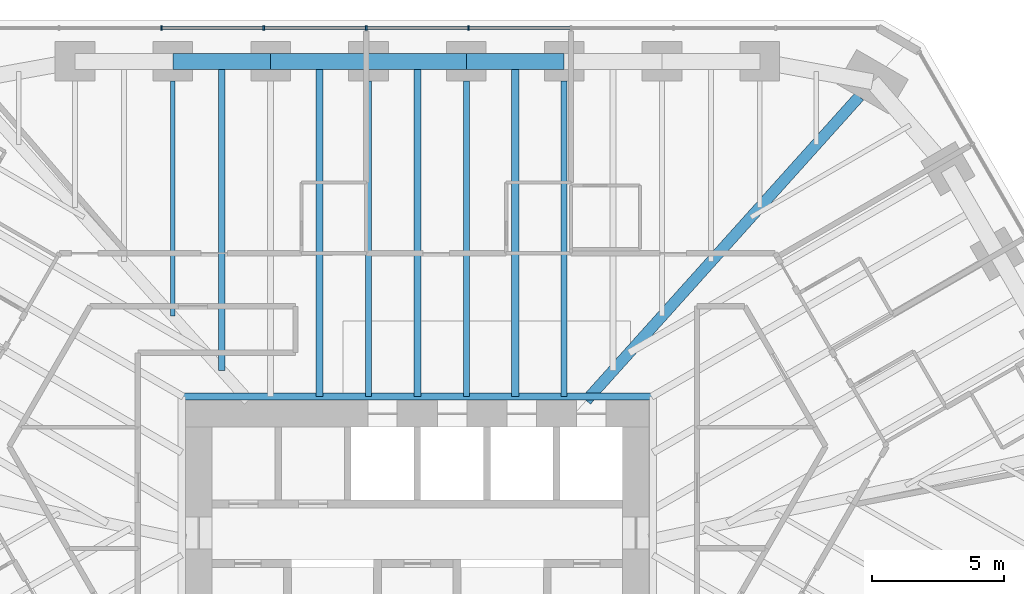
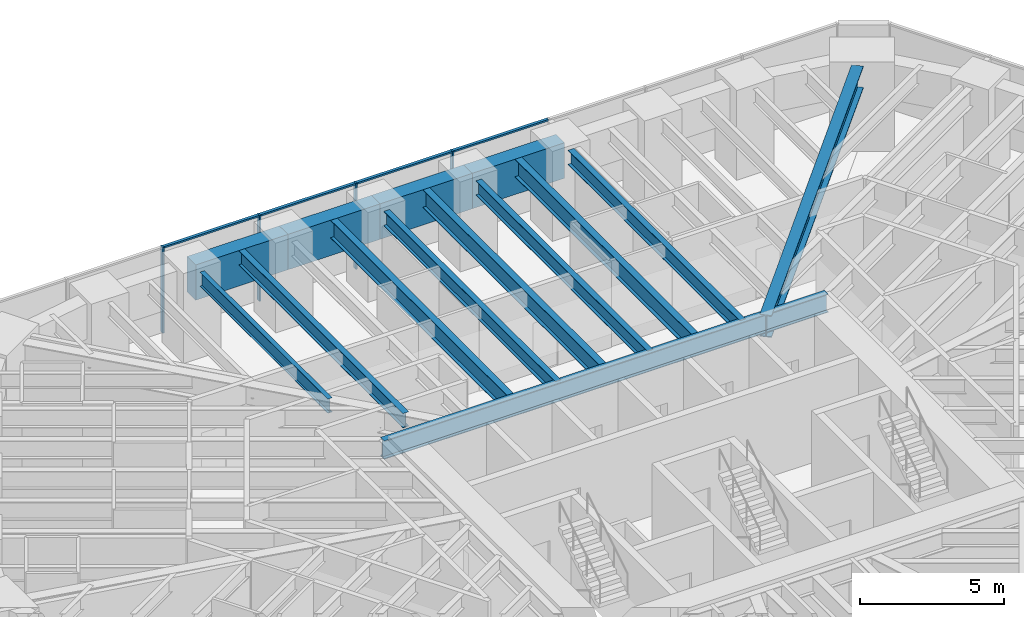
# One storey, part 8 of 17: 14 beams, 8 members, 1 element without a shape of its own.
"""IFC4 building model written with IfcOpenShell, lengths in metres."""

from ifc_helpers import new_model, si_unit, direction, frame, origin, origin_2d, place, context, subcontext, project, spatial, rectangle, i_section, extrude, material, material_profile, profile_set, type_object, element, aggregate, save


model = new_model("IFC4")

# Units and contexts
model_context = context("Model", 3, precision=1e-05, world=origin(), true_north=direction((0.0, 1.0)))
body_context = subcontext(model_context, "Body", "Model", "MODEL_VIEW")
ifc_project = project(units=[si_unit("LENGTHUNIT", "METRE"), si_unit("AREAUNIT", "SQUARE_METRE"), si_unit("VOLUMEUNIT", "CUBIC_METRE"), si_unit("PLANEANGLEUNIT", "RADIAN"), si_unit("MASSUNIT", "GRAM", prefix="KILO")], contexts=[model_context])

# Site, building, storey
site_placement = place(None, origin())
site = spatial("IfcSite", under=ifc_project, at=site_placement, CompositionType="ELEMENT")
building_placement = place(site_placement, origin())
building = spatial("IfcBuilding", under=site, at=building_placement, Name="Sandreach Pilgrim Tower", CompositionType="ELEMENT")
storey_placement = place(building_placement, frame((0.0, 0.0, 194.60009765625)))
storey = spatial("IfcBuildingStorey", under=building, at=storey_placement, Name="L48", CompositionType="ELEMENT", Elevation=194.60009765625)

# Curtain wall, members
ifc_material_1 = material(Name="Aluminium framed curtain wall", Category="aluminium")
curtain_wall_type = type_object("IfcCurtainWallType", Name="Upper hotel tower curtain wall", PredefinedType="NOTDEFINED", material=ifc_material_1)
curtain_wall_placement = place(storey_placement, origin())
curtain_wall = element("IfcCurtainWall", 1, at=curtain_wall_placement, inside=storey, type_object=curtain_wall_type, Name="CW-3 L48 N", PredefinedType="NOTDEFINED")
ifc_material_2 = material(Name="Aluminium extrusion", Category="aluminium")
ifc_material_profile_1 = material_profile(ifc_material_2, rectangle(XDim=0.06494140625, YDim=0.159912109375, at=origin_2d()), Name="CW-3M 65X160")
ifc_profile_set_1 = profile_set([ifc_material_profile_1], Name="Aluminium extrusion")
member_type_1 = type_object("IfcMemberType", Name="CW-3 mullion", PredefinedType="MULLION", material=ifc_profile_set_1)
member_1_placement = place(storey_placement, frame((-9.6611328125, 21.16015625, 0.0), z_axis=(0.0, 0.0, 1.0), x_axis=(1.0, 0.0, 0.0)))
member_1 = element("IfcMember", 2, at=member_1_placement, type_object=member_type_1, Name="CW-3 mullion 3", PredefinedType="MULLION", context=body_context, shape_type="SweptSolid", body=[
    extrude(rectangle(XDim=0.06494140625, YDim=0.159912109375, at=origin_2d()), origin(), (0.0, 0.0, 1.0), 3.639892578125),
])
member_2_placement = place(storey_placement, frame((-5.796630859375, 21.16015625, 0.0), z_axis=(0.0, 0.0, 1.0), x_axis=(1.0, 0.0, 0.0)))
member_2 = element("IfcMember", 3, at=member_2_placement, type_object=member_type_1, Name="CW-3 mullion 4", PredefinedType="MULLION", context=body_context, shape_type="SweptSolid", body=[
    extrude(rectangle(XDim=0.06494140625, YDim=0.159912109375, at=origin_2d()), origin(), (0.0, 0.0, 1.0), 3.639892578125),
])
member_3_placement = place(storey_placement, frame((-1.93212890625, 21.16015625, 0.0), z_axis=(0.0, 0.0, 1.0), x_axis=(1.0, 0.0, 0.0)))
member_3 = element("IfcMember", 4, at=member_3_placement, type_object=member_type_1, Name="CW-3 mullion 5", PredefinedType="MULLION", context=body_context, shape_type="SweptSolid", body=[
    extrude(rectangle(XDim=0.06494140625, YDim=0.159912109375, at=origin_2d()), origin(), (0.0, 0.0, 1.0), 3.639892578125),
])
member_4_placement = place(storey_placement, frame((1.93212890625, 21.16015625, 0.0), z_axis=(0.0, 0.0, 1.0), x_axis=(1.0, 0.0, 0.0)))
member_4 = element("IfcMember", 5, at=member_4_placement, type_object=member_type_1, Name="CW-3 mullion 6", PredefinedType="MULLION", context=body_context, shape_type="SweptSolid", body=[
    extrude(rectangle(XDim=0.06494140625, YDim=0.159912109375, at=origin_2d()), origin(), (0.0, 0.0, 1.0), 3.639892578125),
])
ifc_material_3 = material(Name="Aluminium extrusion", Category="aluminium")
ifc_material_profile_2 = material_profile(ifc_material_3, rectangle(XDim=0.1201171875, YDim=0.070068359375, at=origin_2d()), Name="CW-3T 120X70")
ifc_profile_set_2 = profile_set([ifc_material_profile_2], Name="Aluminium extrusion")
member_type_2 = type_object("IfcMemberType", Name="CW-3 transom", PredefinedType="USERDEFINED", material=ifc_profile_set_2)
member_5_placement = place(storey_placement, frame((-9.628662109375, 21.16015625, 3.60498046875), z_axis=(1.0, 0.0, 0.0), x_axis=(0.0, 1.0, 0.0)))
member_5 = element("IfcMember", 6, at=member_5_placement, type_object=member_type_2, Name="CW-3 head transom 3", ObjectType="TRANSOM", PredefinedType="USERDEFINED", context=body_context, shape_type="SweptSolid", body=[
    extrude(rectangle(XDim=0.1201171875, YDim=0.070068359375, at=origin_2d()), origin(), (0.0, 0.0, 1.0), 3.799560546875),
])
member_6_placement = place(storey_placement, frame((-5.76416015625, 21.16015625, 3.60498046875), z_axis=(1.0, 0.0, 0.0), x_axis=(0.0, 1.0, 0.0)))
member_6 = element("IfcMember", 7, at=member_6_placement, type_object=member_type_2, Name="CW-3 head transom 4", ObjectType="TRANSOM", PredefinedType="USERDEFINED", context=body_context, shape_type="SweptSolid", body=[
    extrude(rectangle(XDim=0.1201171875, YDim=0.070068359375, at=origin_2d()), origin(), (0.0, 0.0, 1.0), 3.799560546875),
])
member_7_placement = place(storey_placement, frame((-1.899658203125, 21.16015625, 3.60498046875), z_axis=(1.0, 0.0, 0.0), x_axis=(0.0, 1.0, 0.0)))
member_7 = element("IfcMember", 8, at=member_7_placement, type_object=member_type_2, Name="CW-3 head transom 5", ObjectType="TRANSOM", PredefinedType="USERDEFINED", context=body_context, shape_type="SweptSolid", body=[
    extrude(rectangle(XDim=0.1201171875, YDim=0.070068359375, at=origin_2d()), origin(), (0.0, 0.0, 1.0), 3.79931640625),
])
member_8_placement = place(storey_placement, frame((1.964599609375, 21.16015625, 3.60498046875), z_axis=(1.0, 0.0, 0.0), x_axis=(0.0, 1.0, 0.0)))
member_8 = element("IfcMember", 9, at=member_8_placement, type_object=member_type_2, Name="CW-3 head transom 6", ObjectType="TRANSOM", PredefinedType="USERDEFINED", context=body_context, shape_type="SweptSolid", body=[
    extrude(rectangle(XDim=0.1201171875, YDim=0.070068359375, at=origin_2d()), origin(), (0.0, 0.0, 1.0), 3.799560546875),
])
aggregate(curtain_wall, [member_1, member_2, member_3, member_4, member_5, member_6, member_7, member_8])

# Beams
ifc_material_4 = material(Name="Steel ASTM A992 Grade 50", Category="steel")
ifc_material_profile_3 = material_profile(ifc_material_4, i_section(OverallWidth=0.2666015625, OverallDepth=0.77978515625, WebThickness=0.0166015625, FlangeThickness=0.030029296875, at=origin_2d()), Name="W30X148")
ifc_profile_set_3 = profile_set([ifc_material_profile_3], Name="Steel ASTM A992 Grade 50")
beam_type_1 = type_object("IfcBeamType", Name="Core edge beam W30X148", PredefinedType="BEAM", material=ifc_profile_set_3)
beam_1_placement = place(storey_placement, frame((-8.893310546875, 7.243408203125, 3.25), z_axis=(1.0, 0.0, 0.0), x_axis=(0.0, 1.0, 0.0)))
element("IfcBeam", 10, at=beam_1_placement, inside=storey, type_object=beam_type_1, Name="BM L48 CEN", PredefinedType="BEAM", context=body_context, shape_type="SweptSolid", body=[
    extrude(i_section(OverallWidth=0.2666015625, OverallDepth=0.77978515625, WebThickness=0.0166015625, FlangeThickness=0.030029296875, at=origin_2d()), origin(), (0.0, 0.0, 1.0), 17.78662109375),
])
ifc_material_5 = material(Name="Steel ASTM A992 Grade 50", Category="steel")
ifc_material_profile_4 = material_profile(ifc_material_5, i_section(OverallWidth=0.421630859375, OverallDepth=0.937255859375, WebThickness=0.0224609375, FlangeThickness=0.039794921875, at=origin_2d()), Name="W36X282")
ifc_profile_set_4 = profile_set([ifc_material_profile_4], Name="Steel ASTM A992 Grade 50")
beam_type_2 = type_object("IfcBeamType", Name="Corner girder W36X282", PredefinedType="BEAM", material=ifc_profile_set_4)
beam_2_placement = place(storey_placement, frame((16.677001953125, 18.572509765625, 3.17138671875), z_axis=(-0.668116607722, -0.744056582853, 0.0), x_axis=(0.744056582853, -0.668116607722, 0.0)))
element("IfcBeam", 11, at=beam_2_placement, inside=storey, type_object=beam_type_2, Name="BM L48 CG09", PredefinedType="BEAM", context=body_context, shape_type="SweptSolid", body=[
    extrude(i_section(OverallWidth=0.421630859375, OverallDepth=0.937255859375, WebThickness=0.0224609375, FlangeThickness=0.039794921875, at=origin_2d()), origin(), (0.0, 0.0, 1.0), 15.418701171875),
])
ifc_material_6 = material(Name="Steel ASTM A992 Grade 50", Category="steel")
ifc_material_profile_5 = material_profile(ifc_material_6, i_section(OverallWidth=0.1787109375, OverallDepth=0.60205078125, WebThickness=0.010986328125, FlangeThickness=0.014892578125, at=origin_2d()), Name="W24X62")
ifc_profile_set_5 = profile_set([ifc_material_profile_5], Name="Steel ASTM A992 Grade 50")
beam_type_3 = type_object("IfcBeamType", Name="Floor beam W24X62", PredefinedType="BEAM", material=ifc_profile_set_5)
beam_3_placement = place(storey_placement, frame((-9.231201171875, 19.150146484375, 3.3388671875), z_axis=(0.0, -1.0, 0.0), x_axis=(1.0, 0.0, 0.0)))
element("IfcBeam", 12, at=beam_3_placement, inside=storey, type_object=beam_type_3, Name="BM L48 F02", PredefinedType="BEAM", context=body_context, shape_type="SweptSolid", body=[
    extrude(i_section(OverallWidth=0.1787109375, OverallDepth=0.60205078125, WebThickness=0.010986328125, FlangeThickness=0.014892578125, at=origin_2d()), origin(), (0.0, 0.0, 1.0), 8.86962890625),
])
ifc_material_7 = material(Name="Steel ASTM A992 Grade 50", Category="steel")
ifc_material_profile_6 = material_profile(ifc_material_7, i_section(OverallWidth=0.23046875, OverallDepth=0.6171875, WebThickness=0.01318359375, FlangeThickness=0.022216796875, at=origin_2d()), Name="W24X94")
ifc_profile_set_6 = profile_set([ifc_material_profile_6], Name="Steel ASTM A992 Grade 50")
beam_type_4 = type_object("IfcBeamType", Name="Floor beam W24X94", PredefinedType="BEAM", material=ifc_profile_set_6)
for number, where, z_axis, x_axis, name in (
    (13, (-1.84619140625, 19.150146484375, 3.331298828125), (0.0, -1.0, 0.0), (1.0, 0.0, 0.0), "BM L48 F04"),
    (14, (1.84619140625, 19.150146484375, 3.331298828125), (0.0, -1.0, 0.0), (1.0, 0.0, 0.0), "BM L48 F05"),
    (15, (5.538818359375, 19.150146484375, 3.331298828125), (0.0, -1.0, 0.0), (1.0, 0.0, 0.0), "BM L48 F06"),
):
    element("IfcBeam", number, at=place(storey_placement, frame(where, z_axis=z_axis, x_axis=x_axis)), inside=storey, type_object=beam_type_4, Name=name, PredefinedType="BEAM", context=body_context, shape_type="SweptSolid", body=[
        extrude(i_section(OverallWidth=0.23046875, OverallDepth=0.6171875, WebThickness=0.01318359375, FlangeThickness=0.022216796875, at=origin_2d()), origin(), (0.0, 0.0, 1.0), 11.90673828125),
    ])
beam_4_placement = place(storey_placement, frame((-7.385009765625, 19.900146484375, 3.331298828125), z_axis=(0.0, -1.0, 0.0), x_axis=(1.0, 0.0, 0.0)))
element("IfcBeam", 16, at=beam_4_placement, inside=storey, type_object=beam_type_4, Name="BM L48 FM02", PredefinedType="BEAM", context=body_context, shape_type="SweptSolid", body=[
    extrude(i_section(OverallWidth=0.23046875, OverallDepth=0.6171875, WebThickness=0.01318359375, FlangeThickness=0.022216796875, at=origin_2d()), origin(), (0.0, 0.0, 1.0), 11.67578125),
])
ifc_material_8 = material(Name="Steel ASTM A992 Grade 50", Category="steel")
ifc_material_profile_7 = material_profile(ifc_material_8, i_section(OverallWidth=0.2666015625, OverallDepth=0.761962890625, WebThickness=0.014404296875, FlangeThickness=0.021484375, at=origin_2d()), Name="W30X116")
ifc_profile_set_7 = profile_set([ifc_material_profile_7], Name="Steel ASTM A992 Grade 50")
beam_type_5 = type_object("IfcBeamType", Name="Floor beam W30X116", PredefinedType="BEAM", material=ifc_profile_set_7)
for number, where, z_axis, x_axis, name in (
    (17, (-3.6923828125, 19.900146484375, 3.2587890625), (0.0, -1.0, 0.0), (1.0, 0.0, 0.0), "BM L48 FM03"),
    (18, (0.0, 19.900146484375, 3.2587890625), (0.0, -1.0, 0.0), (1.0, 0.0, 0.0), "BM L48 FM04"),
    (19, (3.6923828125, 19.900146484375, 3.2587890625), (0.0, -1.0, 0.0), (1.0, 0.0, 0.0), "BM L48 FM05"),
):
    element("IfcBeam", number, at=place(storey_placement, frame(where, z_axis=z_axis, x_axis=x_axis)), inside=storey, type_object=beam_type_5, Name=name, PredefinedType="BEAM", context=body_context, shape_type="SweptSolid", body=[
        extrude(i_section(OverallWidth=0.2666015625, OverallDepth=0.761962890625, WebThickness=0.014404296875, FlangeThickness=0.021484375, at=origin_2d()), origin(), (0.0, 0.0, 1.0), 12.65673828125),
    ])
ifc_material_9 = material(Name="Concrete 10000 psi", Category="concrete")
ifc_material_profile_8 = material_profile(ifc_material_9, rectangle(XDim=0.60009765625, YDim=1.5, at=origin_2d()), Name="RC600X1500")
ifc_profile_set_8 = profile_set([ifc_material_profile_8], Name="Concrete 10000 psi")
beam_type_6 = type_object("IfcBeamType", Name="Spandrel beam RC600X1500", PredefinedType="SPANDREL", material=ifc_profile_set_8)
beam_5_placement = place(storey_placement, frame((-9.231201171875, 19.900146484375, 2.889892578125), z_axis=(1.0, 0.0, 0.0), x_axis=(0.0, 1.0, 0.0)))
element("IfcBeam", 20, at=beam_5_placement, inside=storey, type_object=beam_type_6, Name="BM L48 SP02", PredefinedType="SPANDREL", context=body_context, shape_type="SweptSolid", body=[
    extrude(rectangle(XDim=0.60009765625, YDim=1.5, at=origin_2d()), origin(), (0.0, 0.0, 1.0), 3.6923828125),
])
beam_6_placement = place(storey_placement, frame((-5.538818359375, 19.900146484375, 2.889892578125), z_axis=(1.0, 0.0, 0.0), x_axis=(0.0, 1.0, 0.0)))
element("IfcBeam", 21, at=beam_6_placement, inside=storey, type_object=beam_type_6, Name="BM L48 SP03", PredefinedType="SPANDREL", context=body_context, shape_type="SweptSolid", body=[
    extrude(rectangle(XDim=0.60009765625, YDim=1.5, at=origin_2d()), origin(), (0.0, 0.0, 1.0), 3.692626953125),
])
beam_7_placement = place(storey_placement, frame((-1.84619140625, 19.900146484375, 2.889892578125), z_axis=(1.0, 0.0, 0.0), x_axis=(0.0, 1.0, 0.0)))
element("IfcBeam", 22, at=beam_7_placement, inside=storey, type_object=beam_type_6, Name="BM L48 SP04", PredefinedType="SPANDREL", context=body_context, shape_type="SweptSolid", body=[
    extrude(rectangle(XDim=0.60009765625, YDim=1.5, at=origin_2d()), origin(), (0.0, 0.0, 1.0), 3.6923828125),
])
beam_8_placement = place(storey_placement, frame((1.84619140625, 19.900146484375, 2.889892578125), z_axis=(1.0, 0.0, 0.0), x_axis=(0.0, 1.0, 0.0)))
element("IfcBeam", 23, at=beam_8_placement, inside=storey, type_object=beam_type_6, Name="BM L48 SP05", PredefinedType="SPANDREL", context=body_context, shape_type="SweptSolid", body=[
    extrude(rectangle(XDim=0.60009765625, YDim=1.5, at=origin_2d()), origin(), (0.0, 0.0, 1.0), 3.692626953125),
])

save(model, "model.ifc")
